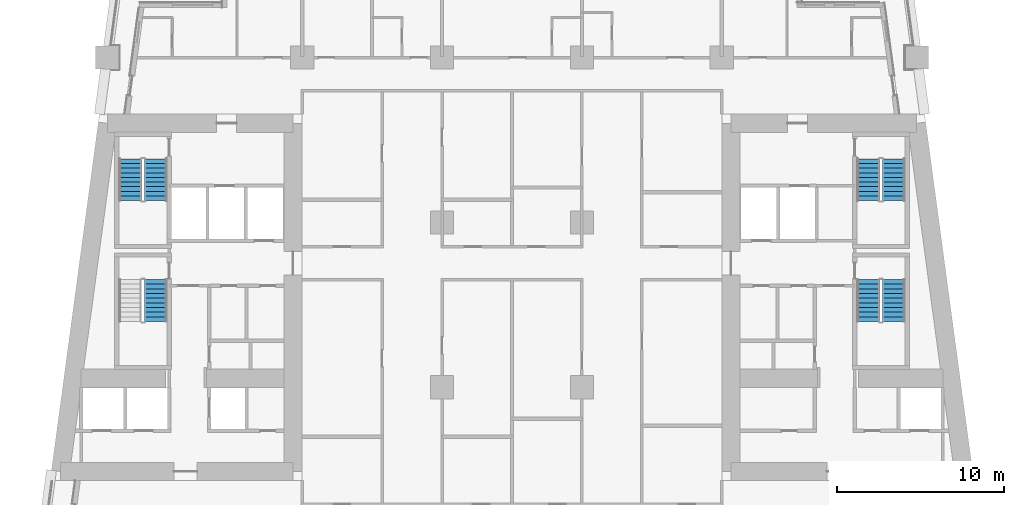
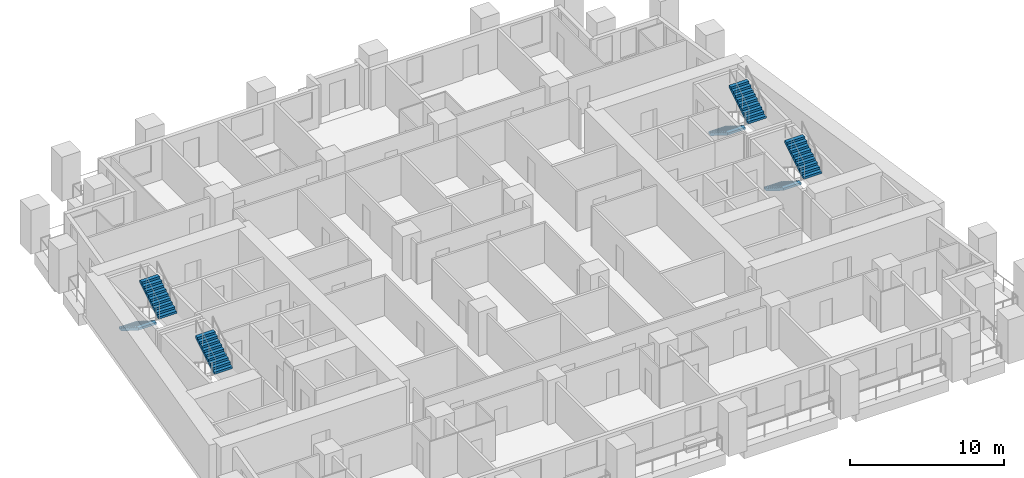
# One storey, part 8 of 13: 7 stair flights, 4 elements without a shape of their own.
"""IFC4 building model written with IfcOpenShell, lengths in metres."""

from ifc_helpers import new_model, si_unit, direction, frame, origin, place, context, subcontext, project, spatial, polyline, outline, extrude, material, type_object, element, aggregate, save


model = new_model("IFC4")

# Units and contexts
model_context = context("Model", 3, precision=1e-05, world=origin(), true_north=direction((0.0, 1.0)))
body_context = subcontext(model_context, "Body", "Model", "MODEL_VIEW")
ifc_project = project(units=[si_unit("LENGTHUNIT", "METRE"), si_unit("AREAUNIT", "SQUARE_METRE"), si_unit("VOLUMEUNIT", "CUBIC_METRE"), si_unit("PLANEANGLEUNIT", "RADIAN"), si_unit("MASSUNIT", "GRAM", prefix="KILO")], contexts=[model_context])

# Site, building, storey
site_placement = place(None, origin())
site = spatial("IfcSite", under=ifc_project, at=site_placement, CompositionType="ELEMENT")
building_placement = place(site_placement, origin())
building = spatial("IfcBuilding", under=site, at=building_placement, Name="Candeia Pilgrim Tower and Theatre", CompositionType="ELEMENT")
storey_placement = place(building_placement, frame((0.0, 0.0, 63.5)))
storey = spatial("IfcBuildingStorey", under=building, at=storey_placement, Name="L13", CompositionType="ELEMENT", Elevation=63.5)

# Stair, stair flight
ifc_material = material(Name="Concrete C40/50", Category="concrete")
stair_type = type_object("IfcStairType", Name="ST-TWR dog-leg escape stair", PredefinedType="HALF_TURN_STAIR", material=ifc_material)
stair_1_placement = place(storey_placement, origin())
stair_1 = element("IfcStair", 1, at=stair_1_placement, inside=storey, type_object=stair_type, Name="L13 Escape stair ST1", PredefinedType="HALF_TURN_STAIR")
stair_flight_type = type_object("IfcStairFlightType", Name="SFL-RC stair flight", PredefinedType="STRAIGHT", material=ifc_material)
stair_flight_1_placement = place(storey_placement, frame((92.027099609375, 119.955078125, 1.75), z_axis=(0.0, 0.0, 1.0), x_axis=(0.0, 1.0, 0.0)))
stair_flight_1 = element("IfcStairFlight", 2, at=stair_flight_1_placement, type_object=stair_flight_type, Name="ST1 flight 2", NumberOfRisers=10, NumberOfTreads=9, PredefinedType="STRAIGHT", RiserHeight=0.175, TreadLength=0.28, context=body_context, shape_type="SweptSolid", body=[
    extrude(outline(polyline([(0.0, 0.0), (0.0, 0.175048828125), (0.280029296875, 0.175048828125), (0.280029296875, 0.35009765625), (0.56005859375, 0.35009765625), (0.56005859375, 0.52490234375), (0.840087890625, 0.52490234375), (0.840087890625, 0.699951171875), (1.1201171875, 0.699951171875), (1.1201171875, 0.875), (1.39990234375, 0.875), (1.39990234375, 1.050048828125), (1.679931640625, 1.050048828125), (1.679931640625, 1.22509765625), (1.9599609375, 1.22509765625), (1.9599609375, 1.39990234375), (2.239990234375, 1.39990234375), (2.239990234375, 1.574951171875), (2.52001953125, 1.574951171875), (2.52001953125, 1.75), (2.52001953125, 1.398193359375), (0.28271484375, 0.0), (0.0, 0.0)])), frame((0.0, 0.675048828125, 0.0), z_axis=(0.0, -1.0, 0.0), x_axis=(1.0, 0.0, 0.0)), (0.0, 0.0, 1.0), 1.35009765625),
])
aggregate(stair_1, [stair_flight_1])

# Stair, stair flights
stair_2_placement = place(storey_placement, origin())
stair_2 = element("IfcStair", 3, at=stair_2_placement, inside=storey, type_object=stair_type, Name="L13 Escape stair ST2", PredefinedType="HALF_TURN_STAIR")
stair_flight_2_placement = place(storey_placement, frame((90.47705078125, 129.72509765625, 0.0), z_axis=(0.0, 0.0, 1.0), x_axis=(0.0, -1.0, 0.0)))
stair_flight_2 = element("IfcStairFlight", 4, at=stair_flight_2_placement, type_object=stair_flight_type, Name="ST2 flight 1", NumberOfRisers=10, NumberOfTreads=9, PredefinedType="STRAIGHT", RiserHeight=0.175, TreadLength=0.28, context=body_context, shape_type="SweptSolid", body=[
    extrude(outline(polyline([(0.0, 0.0), (0.0, 0.175048828125), (0.280029296875, 0.175048828125), (0.280029296875, 0.35009765625), (0.56005859375, 0.35009765625), (0.56005859375, 0.52490234375), (0.840087890625, 0.52490234375), (0.840087890625, 0.699951171875), (1.1201171875, 0.699951171875), (1.1201171875, 0.875), (1.39990234375, 0.875), (1.39990234375, 1.050048828125), (1.679931640625, 1.050048828125), (1.679931640625, 1.22509765625), (1.9599609375, 1.22509765625), (1.9599609375, 1.39990234375), (2.239990234375, 1.39990234375), (2.239990234375, 1.574951171875), (2.52001953125, 1.574951171875), (2.52001953125, 1.75), (2.52001953125, 1.398193359375), (0.28271484375, 0.0), (0.0, 0.0)])), frame((0.0, 0.675048828125, 0.0), z_axis=(0.0, -1.0, 0.0), x_axis=(1.0, 0.0, 0.0)), (0.0, 0.0, 1.0), 1.35009765625),
])
stair_flight_3_placement = place(storey_placement, frame((92.027099609375, 127.205078125, 1.75), z_axis=(0.0, 0.0, 1.0), x_axis=(0.0, 1.0, 0.0)))
stair_flight_3 = element("IfcStairFlight", 5, at=stair_flight_3_placement, type_object=stair_flight_type, Name="ST2 flight 2", NumberOfRisers=10, NumberOfTreads=9, PredefinedType="STRAIGHT", RiserHeight=0.175, TreadLength=0.28, context=body_context, shape_type="SweptSolid", body=[
    extrude(outline(polyline([(0.0, 0.0), (0.0, 0.175048828125), (0.280029296875, 0.175048828125), (0.280029296875, 0.35009765625), (0.56005859375, 0.35009765625), (0.56005859375, 0.52490234375), (0.840087890625, 0.52490234375), (0.840087890625, 0.699951171875), (1.1201171875, 0.699951171875), (1.1201171875, 0.875), (1.39990234375, 0.875), (1.39990234375, 1.050048828125), (1.679931640625, 1.050048828125), (1.679931640625, 1.22509765625), (1.9599609375, 1.22509765625), (1.9599609375, 1.39990234375), (2.239990234375, 1.39990234375), (2.239990234375, 1.574951171875), (2.52001953125, 1.574951171875), (2.52001953125, 1.75), (2.52001953125, 1.398193359375), (0.28271484375, 0.0), (0.0, 0.0)])), frame((0.0, 0.675048828125, 0.0), z_axis=(0.0, -1.0, 0.0), x_axis=(1.0, 0.0, 0.0)), (0.0, 0.0, 1.0), 1.35009765625),
])
aggregate(stair_2, [stair_flight_2, stair_flight_3])

stair_3_placement = place(storey_placement, origin())
stair_3 = element("IfcStair", 6, at=stair_3_placement, inside=storey, type_object=stair_type, Name="L13 Escape stair ST3", PredefinedType="HALF_TURN_STAIR")
stair_flight_4_placement = place(storey_placement, frame((134.77294921875, 122.47509765625, 0.0), z_axis=(0.0, 0.0, 1.0), x_axis=(0.0, -1.0, 0.0)))
stair_flight_4 = element("IfcStairFlight", 7, at=stair_flight_4_placement, type_object=stair_flight_type, Name="ST3 flight 1", NumberOfRisers=10, NumberOfTreads=9, PredefinedType="STRAIGHT", RiserHeight=0.175, TreadLength=0.28, context=body_context, shape_type="SweptSolid", body=[
    extrude(outline(polyline([(0.0, 0.0), (0.0, 0.175048828125), (0.280029296875, 0.175048828125), (0.280029296875, 0.35009765625), (0.56005859375, 0.35009765625), (0.56005859375, 0.52490234375), (0.840087890625, 0.52490234375), (0.840087890625, 0.699951171875), (1.1201171875, 0.699951171875), (1.1201171875, 0.875), (1.39990234375, 0.875), (1.39990234375, 1.050048828125), (1.679931640625, 1.050048828125), (1.679931640625, 1.22509765625), (1.9599609375, 1.22509765625), (1.9599609375, 1.39990234375), (2.239990234375, 1.39990234375), (2.239990234375, 1.574951171875), (2.52001953125, 1.574951171875), (2.52001953125, 1.75), (2.52001953125, 1.398193359375), (0.28271484375, 0.0), (0.0, 0.0)])), frame((0.0, 0.675048828125, 0.0), z_axis=(0.0, -1.0, 0.0), x_axis=(1.0, 0.0, 0.0)), (0.0, 0.0, 1.0), 1.35009765625),
])
stair_flight_5_placement = place(storey_placement, frame((136.322998046875, 119.955078125, 1.75), z_axis=(0.0, 0.0, 1.0), x_axis=(0.0, 1.0, 0.0)))
stair_flight_5 = element("IfcStairFlight", 8, at=stair_flight_5_placement, type_object=stair_flight_type, Name="ST3 flight 2", NumberOfRisers=10, NumberOfTreads=9, PredefinedType="STRAIGHT", RiserHeight=0.175, TreadLength=0.28, context=body_context, shape_type="SweptSolid", body=[
    extrude(outline(polyline([(0.0, 0.0), (0.0, 0.175048828125), (0.280029296875, 0.175048828125), (0.280029296875, 0.35009765625), (0.56005859375, 0.35009765625), (0.56005859375, 0.52490234375), (0.840087890625, 0.52490234375), (0.840087890625, 0.699951171875), (1.1201171875, 0.699951171875), (1.1201171875, 0.875), (1.39990234375, 0.875), (1.39990234375, 1.050048828125), (1.679931640625, 1.050048828125), (1.679931640625, 1.22509765625), (1.9599609375, 1.22509765625), (1.9599609375, 1.39990234375), (2.239990234375, 1.39990234375), (2.239990234375, 1.574951171875), (2.52001953125, 1.574951171875), (2.52001953125, 1.75), (2.52001953125, 1.398193359375), (0.28271484375, 0.0), (0.0, 0.0)])), frame((0.0, 0.675048828125, 0.0), z_axis=(0.0, -1.0, 0.0), x_axis=(1.0, 0.0, 0.0)), (0.0, 0.0, 1.0), 1.35009765625),
])
aggregate(stair_3, [stair_flight_4, stair_flight_5])

stair_4_placement = place(storey_placement, origin())
stair_4 = element("IfcStair", 9, at=stair_4_placement, inside=storey, type_object=stair_type, Name="L13 Escape stair ST4", PredefinedType="HALF_TURN_STAIR")
stair_flight_6_placement = place(storey_placement, frame((134.77294921875, 129.72509765625, 0.0), z_axis=(0.0, 0.0, 1.0), x_axis=(0.0, -1.0, 0.0)))
stair_flight_6 = element("IfcStairFlight", 10, at=stair_flight_6_placement, type_object=stair_flight_type, Name="ST4 flight 1", NumberOfRisers=10, NumberOfTreads=9, PredefinedType="STRAIGHT", RiserHeight=0.175, TreadLength=0.28, context=body_context, shape_type="SweptSolid", body=[
    extrude(outline(polyline([(0.0, 0.0), (0.0, 0.175048828125), (0.280029296875, 0.175048828125), (0.280029296875, 0.35009765625), (0.56005859375, 0.35009765625), (0.56005859375, 0.52490234375), (0.840087890625, 0.52490234375), (0.840087890625, 0.699951171875), (1.1201171875, 0.699951171875), (1.1201171875, 0.875), (1.39990234375, 0.875), (1.39990234375, 1.050048828125), (1.679931640625, 1.050048828125), (1.679931640625, 1.22509765625), (1.9599609375, 1.22509765625), (1.9599609375, 1.39990234375), (2.239990234375, 1.39990234375), (2.239990234375, 1.574951171875), (2.52001953125, 1.574951171875), (2.52001953125, 1.75), (2.52001953125, 1.398193359375), (0.28271484375, 0.0), (0.0, 0.0)])), frame((0.0, 0.675048828125, 0.0), z_axis=(0.0, -1.0, 0.0), x_axis=(1.0, 0.0, 0.0)), (0.0, 0.0, 1.0), 1.35009765625),
])
stair_flight_7_placement = place(storey_placement, frame((136.322998046875, 127.205078125, 1.75), z_axis=(0.0, 0.0, 1.0), x_axis=(0.0, 1.0, 0.0)))
stair_flight_7 = element("IfcStairFlight", 11, at=stair_flight_7_placement, type_object=stair_flight_type, Name="ST4 flight 2", NumberOfRisers=10, NumberOfTreads=9, PredefinedType="STRAIGHT", RiserHeight=0.175, TreadLength=0.28, context=body_context, shape_type="SweptSolid", body=[
    extrude(outline(polyline([(0.0, 0.0), (0.0, 0.175048828125), (0.280029296875, 0.175048828125), (0.280029296875, 0.35009765625), (0.56005859375, 0.35009765625), (0.56005859375, 0.52490234375), (0.840087890625, 0.52490234375), (0.840087890625, 0.699951171875), (1.1201171875, 0.699951171875), (1.1201171875, 0.875), (1.39990234375, 0.875), (1.39990234375, 1.050048828125), (1.679931640625, 1.050048828125), (1.679931640625, 1.22509765625), (1.9599609375, 1.22509765625), (1.9599609375, 1.39990234375), (2.239990234375, 1.39990234375), (2.239990234375, 1.574951171875), (2.52001953125, 1.574951171875), (2.52001953125, 1.75), (2.52001953125, 1.398193359375), (0.28271484375, 0.0), (0.0, 0.0)])), frame((0.0, 0.675048828125, 0.0), z_axis=(0.0, -1.0, 0.0), x_axis=(1.0, 0.0, 0.0)), (0.0, 0.0, 1.0), 1.35009765625),
])
aggregate(stair_4, [stair_flight_6, stair_flight_7])

save(model, "model.ifc")
